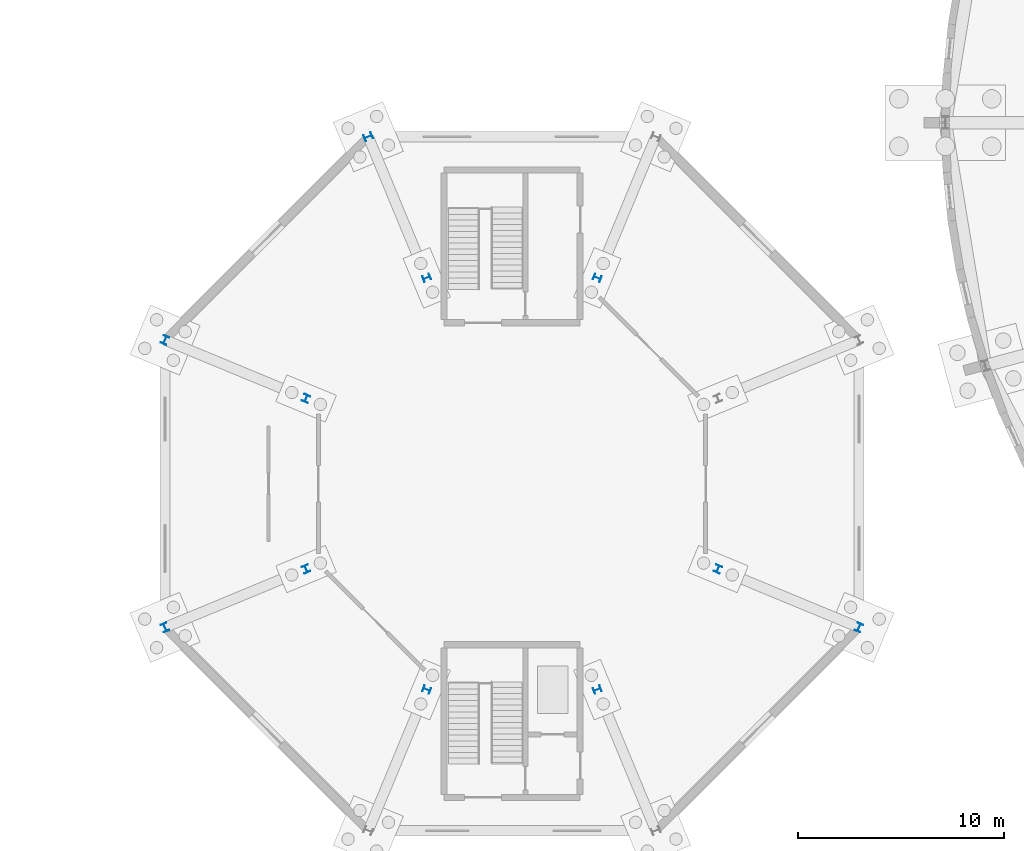
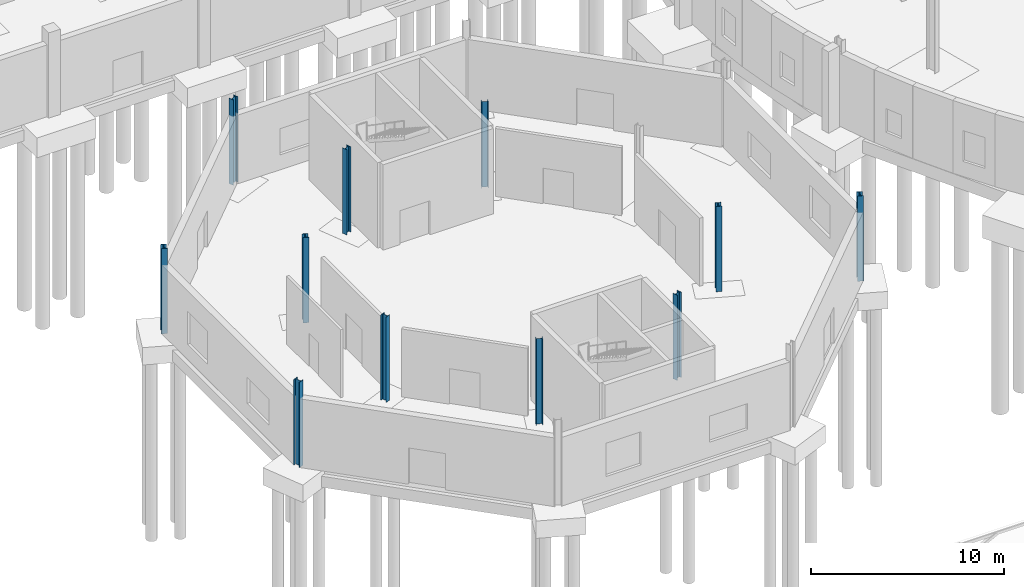
# One storey, part 23 of 118: 11 columns.
"""IFC4 building model written with IfcOpenShell, lengths in metres."""

import ifcopenshell
import ifcopenshell.guid

model = None  # the IFC model being written
_history = None  # IfcOwnerHistory: only IFC2X3 demands one
_inside = {}  # id of a spatial element -> (the spatial element, [elements in it])
_under = {}  # id of a project, library or spatial element -> (it, [spatial elements below it])
_declared = {}  # id of a project -> (the project, [libraries it declares])
_typed = {}  # id of a type object -> (the type object, [elements of that type])
_made_of = {}  # id of a material, layer set ... -> (it, [elements and type objects made of it])


def new_model(schema):
    """Start an empty IFC model of exactly this schema.

    Asked for "IFC4X3", IfcOpenShell would pick the latest addendum, in which some entities
    have other attributes; the version numbers below select the first issue.
    IFC2X3 requires an IfcOwnerHistory on every rooted entity: one is made here for all.
    """
    global model, _history
    if schema == "IFC4X3":
        model = ifcopenshell.file(schema_version=(4, 3, 0, 0))
    else:
        model = ifcopenshell.file(schema=schema)
    _inside.clear()
    _under.clear()
    _declared.clear()
    _typed.clear()
    _made_of.clear()
    _history = None
    if model.schema == "IFC2X3":
        org = make("IfcOrganization", Name="unknown")
        user = make(
            "IfcPersonAndOrganization",
            ThePerson=make("IfcPerson", FamilyName="unknown"),
            TheOrganization=org,
        )
        app = make(
            "IfcApplication",
            ApplicationDeveloper=org,
            Version="unknown",
            ApplicationFullName="unknown",
            ApplicationIdentifier="unknown",
        )
        _history = make(
            "IfcOwnerHistory",
            OwningUser=user,
            OwningApplication=app,
            ChangeAction="ADDED",
            CreationDate=0,
        )
    return model


def make(cls, **values):
    """One entity of the class cls with the attributes given. An attribute that is None is left unset."""
    return model.create_entity(
        cls, **{name: value for name, value in values.items() if value is not None}
    )


def rooted(cls, **values):
    """An entity with a GlobalId (a new one), such as an element, a storey or a relation."""
    return make(cls, GlobalId=ifcopenshell.guid.new(), OwnerHistory=_history, **values)


def si_unit(unit_type, name, prefix=None):
    """IfcSIUnit, for example si_unit("LENGTHUNIT", "METRE", prefix="MILLI")."""
    return make("IfcSIUnit", UnitType=unit_type, Prefix=prefix, Name=name)


def assignment(units):
    """IfcUnitAssignment: the units of a project."""
    return None if units is None else make("IfcUnitAssignment", Units=units)


def point(xyz):
    """IfcCartesianPoint."""
    return None if xyz is None else make("IfcCartesianPoint", Coordinates=xyz)


def direction(xyz):
    """IfcDirection."""
    return None if xyz is None else make("IfcDirection", DirectionRatios=xyz)


def frame(location, z_axis=None, x_axis=None):
    """IfcAxis2Placement3D, a coordinate frame: its origin and axes. An axis left out is left unset."""
    return make(
        "IfcAxis2Placement3D",
        Location=point(location),
        Axis=direction(z_axis),
        RefDirection=direction(x_axis),
    )


def frame_2d(location, x_axis=None):
    """IfcAxis2Placement2D, a coordinate frame in the plane: its origin and x axis."""
    return make(
        "IfcAxis2Placement2D", Location=point(location), RefDirection=direction(x_axis)
    )


def origin():
    """The frame at (0, 0, 0) with its axes left unset."""
    return frame((0.0, 0.0, 0.0))


def origin_2d():
    """The frame at (0, 0) in the plane with its x axis left unset."""
    return frame_2d((0.0, 0.0))


def place(relative_to, where):
    """IfcLocalPlacement: puts the frame where relative to a parent placement (None: the world)."""
    return make(
        "IfcLocalPlacement", PlacementRelTo=relative_to, RelativePlacement=where
    )


def context(
    kind, dimensions, precision=None, world=None, true_north=None, identifier=None
):
    """IfcGeometricRepresentationContext, for example the 3D "Model" context."""
    return make(
        "IfcGeometricRepresentationContext",
        ContextIdentifier=identifier,
        ContextType=kind,
        CoordinateSpaceDimension=dimensions,
        Precision=precision,
        WorldCoordinateSystem=world,
        TrueNorth=true_north,
    )


def subcontext(parent, identifier, kind, view, scale=None):
    """IfcGeometricRepresentationSubContext, for example "Body" below "Model"."""
    return make(
        "IfcGeometricRepresentationSubContext",
        ContextIdentifier=identifier,
        ContextType=kind,
        ParentContext=parent,
        TargetScale=scale,
        TargetView=view,
    )


def project(units=None, contexts=None):
    """IfcProject with its units and contexts."""
    return rooted(
        "IfcProject",
        Name="project",
        RepresentationContexts=contexts,
        UnitsInContext=assignment(units),
    )


def spatial(cls, under=None, at=None, **own):
    """A site, building, storey or space (cls), placed at a placement, below another one or the project."""
    s = rooted(cls, ObjectPlacement=at, **own)
    if under is not None:
        _under.setdefault(under.id(), (under, []))[1].append(s)
    return s


def profile(cls, at=None, kind="AREA", **sizes):
    """A parametric profile (cls). Its sizes go by their IFC names, for example OverallWidth=200.0."""
    return make(cls, ProfileType=kind, Position=at, **sizes)


def i_section(**sizes):
    """IfcIShapeProfileDef."""
    return profile("IfcIShapeProfileDef", **sizes)


def extrude(swept, where, along, depth):
    """IfcExtrudedAreaSolid: the profile swept, set in the frame where, extruded along a direction by depth."""
    return make(
        "IfcExtrudedAreaSolid",
        SweptArea=swept,
        Position=where,
        ExtrudedDirection=direction(along),
        Depth=depth,
    )


def shape(context_of_items, identifier, shape_type, items):
    """IfcShapeRepresentation: the items that make up one representation, for example the "Body"."""
    return make(
        "IfcShapeRepresentation",
        ContextOfItems=context_of_items,
        RepresentationIdentifier=identifier,
        RepresentationType=shape_type,
        Items=items,
    )


def material(Name=None, Category=None):
    """IfcMaterial."""
    return make("IfcMaterial", Name=Name, Category=Category)


def material_profile(
    of_material, cross_section, Name=None, Category=None, Priority=None
):
    """IfcMaterialProfile: a cross section and its material."""
    return make(
        "IfcMaterialProfile",
        Name=Name,
        Material=of_material,
        Profile=cross_section,
        Priority=Priority,
        Category=Category,
    )


def profile_set(profiles, Name=None, composite=None):
    """IfcMaterialProfileSet."""
    return make(
        "IfcMaterialProfileSet",
        Name=Name,
        MaterialProfiles=profiles,
        CompositeProfile=composite,
    )


def made_of(thing, what):
    """Note that an element or type object is made of a material, layer set ...; save() writes the relation."""
    if what is not None:
        _made_of.setdefault(what.id(), (what, []))[1].append(thing)
    return thing


def type_object(cls, material=None, **own):
    """A type object (cls), such as IfcWallType, which elements share."""
    return made_of(rooted(cls, **own), material)


def element(
    cls,
    number,
    at=None,
    inside=None,
    cuts=None,
    type_object=None,
    material=None,
    context=None,
    identifier="Body",
    shape_type=None,
    held_by="IfcProductDefinitionShape",
    body=None,
    shapes=None,
    **own,
):
    """One element of the class cls, such as IfcWall. Its Tag is "e" and its number.

    at: its placement. inside: the storey or other place that contains it. cuts: it is an
    opening in that element (IfcRelVoidsElement). A single representation is given by context,
    identifier, shape_type and body (its items); several are given by shapes. held_by: the class
    of the entity that holds the representations. save() writes the other relations.
    """
    e = rooted(cls, Tag="e%d" % number, ObjectPlacement=at, **own)
    if body is not None:
        shapes = [shape(context, identifier, shape_type, body)]
    if shapes is not None:
        e.Representation = make(held_by, Representations=shapes)
    if inside is not None:
        _inside.setdefault(inside.id(), (inside, []))[1].append(e)
    if cuts is not None:
        rooted(
            "IfcRelVoidsElement", RelatingBuildingElement=cuts, RelatedOpeningElement=e
        )
    if type_object is not None:
        _typed.setdefault(type_object.id(), (type_object, []))[1].append(e)
    return made_of(e, material)


def aggregate(whole, parts):
    """IfcRelAggregates: a whole, such as a stair, and the parts it consists of."""
    return rooted("IfcRelAggregates", RelatingObject=whole, RelatedObjects=parts)


def save(model, path):
    """Write the relations noted so far, then the file.

    IfcRelAggregates (storeys below a building ...), IfcRelContainedInSpatialStructure (elements
    in a storey), IfcRelDefinesByType, IfcRelAssociatesMaterial and IfcRelDeclares: one each for
    every whole, place, type object, material and project.
    """
    for whole, parts in _under.values():
        aggregate(whole, parts)
    for where, things in _inside.values():
        rooted(
            "IfcRelContainedInSpatialStructure",
            RelatedElements=things,
            RelatingStructure=where,
        )
    for kind, things in _typed.values():
        rooted("IfcRelDefinesByType", RelatedObjects=things, RelatingType=kind)
    for what, things in _made_of.values():
        rooted("IfcRelAssociatesMaterial", RelatedObjects=things, RelatingMaterial=what)
    for by, libraries in _declared.values():
        rooted("IfcRelDeclares", RelatingContext=by, RelatedDefinitions=libraries)
    model.write(path)


model = new_model("IFC4")

# Units and contexts
model_context = context("Model", 3, precision=1e-05, world=origin(), true_north=direction((0.0, 1.0)))
body_context = subcontext(model_context, "Body", "Model", "MODEL_VIEW")
ifc_project = project(units=[si_unit("LENGTHUNIT", "METRE"), si_unit("AREAUNIT", "SQUARE_METRE"), si_unit("VOLUMEUNIT", "CUBIC_METRE"), si_unit("PLANEANGLEUNIT", "RADIAN"), si_unit("MASSUNIT", "GRAM", prefix="KILO")], contexts=[model_context])

# Site, building, storey
site_placement = place(None, origin())
site = spatial("IfcSite", under=ifc_project, at=site_placement, CompositionType="ELEMENT")
building_placement = place(site_placement, origin())
building = spatial("IfcBuilding", under=site, at=building_placement, Name="Kildeholm Park Wholesale Market", CompositionType="ELEMENT")
storey_placement = place(building_placement, origin())
storey = spatial("IfcBuildingStorey", under=building, at=storey_placement, Name="L00", CompositionType="ELEMENT", Elevation=0.0)

# Columns
ifc_material = material(Name="Steel S355", Category="steel")
ifc_material_profile_1 = material_profile(ifc_material, i_section(OverallWidth=0.300048828125, OverallDepth=0.360107421875, WebThickness=0.012451171875, FlangeThickness=0.0224609375, FilletRadius=0.027099609375, at=origin_2d()), Name="HEB 360")
ifc_profile_set_1 = profile_set([ifc_material_profile_1], Name="Steel S355")
column_type_1 = type_object("IfcColumnType", Name="Column C-S04 HEB 360", PredefinedType="COLUMN", material=ifc_profile_set_1)
for number, where, z_axis, x_axis, name in (
    (1, (25.133056640625, 81.97802734375, 0.0), (0.0, 0.0, 1.0), (0.382683432365, 0.923879532511, 0.0), "Column V3-IN-01 L00 COL-0301"),
    (2, (16.866943359375, 81.97802734375, 0.0), (0.0, 0.0, 1.0), (-0.382683432365, 0.923879532511, 0.0), "Column V3-IN-02 L00 COL-0305"),
    (3, (11.02197265625, 76.133056640625, 0.0), (0.0, 0.0, 1.0), (-0.923879532511, 0.382683432365, 0.0), "Column V3-IN-03 L00 COL-0309"),
    (4, (11.02197265625, 67.866943359375, 0.0), (0.0, 0.0, 1.0), (-0.923879532511, -0.382683432365, 0.0), "Column V3-IN-04 L00 COL-0313"),
    (5, (16.866943359375, 62.02197265625, 0.0), (0.0, 0.0, 1.0), (-0.382683432365, -0.923879532511, 0.0), "Column V3-IN-05 L00 COL-0317"),
    (6, (25.133056640625, 62.02197265625, 0.0), (0.0, 0.0, 1.0), (0.382683432365, -0.923879532511, 0.0), "Column V3-IN-06 L00 COL-0321"),
    (7, (30.97802734375, 67.866943359375, 0.0), (0.0, 0.0, 1.0), (0.923879532511, -0.382683432365, 0.0), "Column V3-IN-07 L00 COL-0325"),
):
    element("IfcColumn", number, at=place(storey_placement, frame(where, z_axis=z_axis, x_axis=x_axis)), inside=storey, type_object=column_type_1, Name=name, PredefinedType="COLUMN", context=body_context, shape_type="SweptSolid", body=[
        extrude(i_section(OverallWidth=0.300048828125, OverallDepth=0.360107421875, WebThickness=0.012451171875, FlangeThickness=0.0224609375, FilletRadius=0.027099609375, at=origin_2d()), origin(), (0.0, 0.0, 1.0), 5.39990234375),
    ])
ifc_material_profile_2 = material_profile(ifc_material, i_section(OverallWidth=0.300048828125, OverallDepth=0.39990234375, WebThickness=0.013427734375, FlangeThickness=0.02392578125, FilletRadius=0.027099609375, at=origin_2d()), Name="HEB 400")
ifc_profile_set_2 = profile_set([ifc_material_profile_2], Name="Steel S355")
column_type_2 = type_object("IfcColumnType", Name="Column C-S05 HEB 400", PredefinedType="COLUMN", material=ifc_profile_set_2)
for number, where, z_axis, x_axis, name in (
    (8, (14.034912109375, 88.81494140625, 0.0), (0.0, 0.0, 1.0), (-0.382683432365, 0.923879532511, 0.0), "Column V3-OT-02 L00 COL-0307"),
    (9, (4.18505859375, 78.965087890625, 0.0), (0.0, 0.0, 1.0), (-0.923879532511, 0.382683432365, 0.0), "Column V3-OT-03 L00 COL-0311"),
    (10, (4.18505859375, 65.034912109375, 0.0), (0.0, 0.0, 1.0), (-0.923879532511, -0.382683432365, 0.0), "Column V3-OT-04 L00 COL-0315"),
    (11, (37.81494140625, 65.034912109375, 0.0), (0.0, 0.0, 1.0), (0.923879532511, -0.382683432365, 0.0), "Column V3-OT-07 L00 COL-0327"),
):
    element("IfcColumn", number, at=place(storey_placement, frame(where, z_axis=z_axis, x_axis=x_axis)), inside=storey, type_object=column_type_2, Name=name, PredefinedType="COLUMN", context=body_context, shape_type="SweptSolid", body=[
        extrude(i_section(OverallWidth=0.300048828125, OverallDepth=0.39990234375, WebThickness=0.013427734375, FlangeThickness=0.02392578125, FilletRadius=0.027099609375, at=origin_2d()), origin(), (0.0, 0.0, 1.0), 5.39990234375),
    ])

save(model, "model.ifc")
